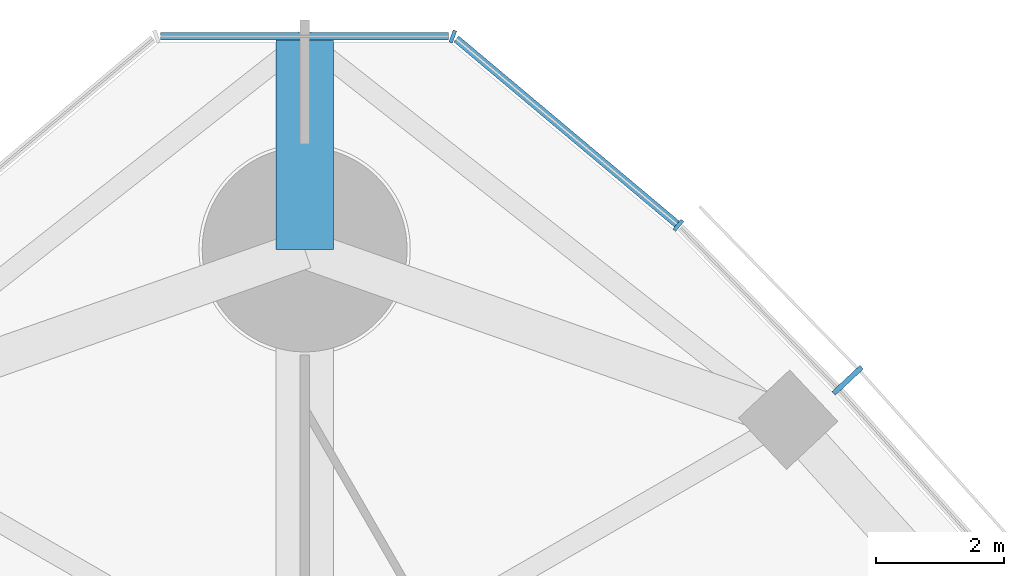
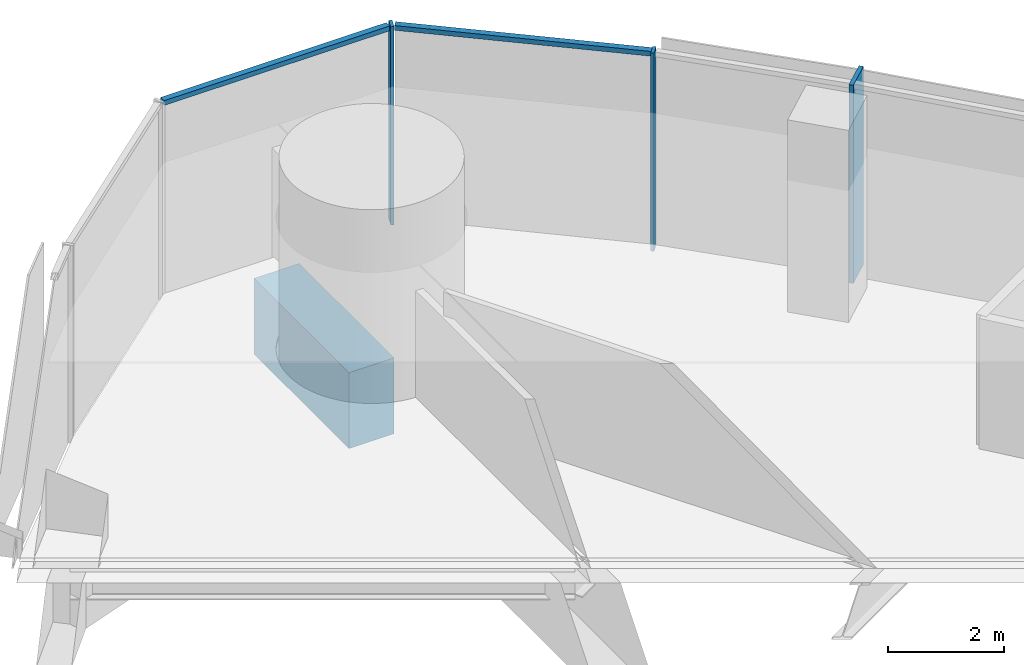
# One storey, part 8 of 20: 5 members, 1 beam, 2 elements without a shape of their own.
"""IFC4 building model written with IfcOpenShell, lengths in metres."""

from ifc_helpers import new_model, si_unit, direction, frame, origin, origin_2d, place, context, subcontext, project, spatial, rectangle, extrude, material, material_profile, profile_set, type_object, element, aggregate, save


model = new_model("IFC4")

# Units and contexts
model_context = context("Model", 3, precision=1e-05, world=origin(), true_north=direction((0.0, 1.0)))
body_context = subcontext(model_context, "Body", "Model", "MODEL_VIEW")
ifc_project = project(units=[si_unit("LENGTHUNIT", "METRE"), si_unit("AREAUNIT", "SQUARE_METRE"), si_unit("VOLUMEUNIT", "CUBIC_METRE"), si_unit("PLANEANGLEUNIT", "RADIAN"), si_unit("MASSUNIT", "GRAM", prefix="KILO")], contexts=[model_context])

# Site, building, storey
site_placement = place(None, origin())
site = spatial("IfcSite", under=ifc_project, at=site_placement, CompositionType="ELEMENT")
building_placement = place(site_placement, origin())
building = spatial("IfcBuilding", under=site, at=building_placement, Name="Trefoil Bronze Tower", CompositionType="ELEMENT")
storey_placement = place(building_placement, frame((0.0, 0.0, 210.699951171875)))
storey = spatial("IfcBuildingStorey", under=building, at=storey_placement, Name="L48", CompositionType="ELEMENT", Elevation=210.699951171875)

# Curtain wall, member
ifc_material_1 = material(Name="Tinted solar-control glass", Category="glass")
curtain_wall_type_1 = type_object("IfcCurtainWallType", Name="Bronze office curtain wall", PredefinedType="USERDEFINED", material=ifc_material_1)
curtain_wall_1_placement = place(storey_placement, origin())
curtain_wall_1 = element("IfcCurtainWall", 1, at=curtain_wall_1_placement, inside=storey, type_object=curtain_wall_type_1, Name="CW-A L48 F2", ObjectType="CURTAIN WALL", PredefinedType="USERDEFINED")
ifc_material_2 = material(Name="Bronze-finish aluminium", Category="aluminium")
ifc_material_profile_1 = material_profile(ifc_material_2, rectangle(XDim=0.60009765625, YDim=0.080078125, at=origin_2d()), Name="CW-A mullion")
ifc_profile_set_1 = profile_set([ifc_material_profile_1], Name="Bronze-finish aluminium")
member_type_1 = type_object("IfcMemberType", Name="Bronze office curtain wall mullion", PredefinedType="MULLION", material=ifc_profile_set_1)
member_1_placement = place(storey_placement, frame((8.482177734375, 30.95654296875, 0.0), z_axis=(0.0, 0.0, 1.0), x_axis=(-0.729859580661, -0.683597098091, 0.0)))
member_1 = element("IfcMember", 2, at=member_1_placement, type_object=member_type_1, Name="CW-A L48 F2 mullion 12", PredefinedType="MULLION", context=body_context, shape_type="SweptSolid", body=[
    extrude(rectangle(XDim=0.60009765625, YDim=0.080078125, at=origin_2d()), origin(), (0.0, 0.0, 1.0), 4.179931640625),
])
aggregate(curtain_wall_1, [member_1])

# Curtain wall, members
ifc_material_3 = material(Name="Tinted solar-control glass", Category="glass")
curtain_wall_type_2 = type_object("IfcCurtainWallType", Name="Bronze rounded corner curtain wall", PredefinedType="USERDEFINED", material=ifc_material_3)
curtain_wall_2_placement = place(storey_placement, origin())
curtain_wall_2 = element("IfcCurtainWall", 3, at=curtain_wall_2_placement, inside=storey, type_object=curtain_wall_type_2, Name="CW-B L48 K2", ObjectType="CURTAIN WALL", PredefinedType="USERDEFINED")
ifc_material_4 = material(Name="Bronze-finish aluminium", Category="aluminium")
ifc_material_profile_2 = material_profile(ifc_material_4, rectangle(XDim=0.199951171875, YDim=0.06005859375, at=origin_2d()), Name="CW-B mullion")
ifc_profile_set_2 = profile_set([ifc_material_profile_2], Name="Bronze-finish aluminium")
member_type_2 = type_object("IfcMemberType", Name="Bronze rounded corner curtain wall mullion", PredefinedType="MULLION", material=ifc_profile_set_2)
member_2_placement = place(storey_placement, frame((5.837890625, 33.3779296875, 0.0), z_axis=(0.0, 0.0, 1.0), x_axis=(-0.642787609687, -0.766044443119, 0.0)))
member_2 = element("IfcMember", 4, at=member_2_placement, type_object=member_type_2, Name="CW-B L48 K2 mullion 1", PredefinedType="MULLION", context=body_context, shape_type="SweptSolid", body=[
    extrude(rectangle(XDim=0.199951171875, YDim=0.06005859375, at=origin_2d()), origin(), (0.0, 0.0, 1.0), 4.179931640625),
])
member_3_placement = place(storey_placement, frame((2.314453125, 36.326416015625, 0.0), z_axis=(0.0, 0.0, 1.0), x_axis=(-0.342020143326, -0.939692620786, 0.0)))
member_3 = element("IfcMember", 5, at=member_3_placement, type_object=member_type_2, Name="CW-B L48 K2 mullion 2", PredefinedType="MULLION", context=body_context, shape_type="SweptSolid", body=[
    extrude(rectangle(XDim=0.199951171875, YDim=0.06005859375, at=origin_2d()), origin(), (0.0, 0.0, 1.0), 4.179931640625),
])
ifc_material_5 = material(Name="Bronze-finish aluminium", Category="aluminium")
ifc_material_profile_3 = material_profile(ifc_material_5, rectangle(XDim=0.1201171875, YDim=0.10009765625, at=origin_2d()), Name="CW-B transom")
ifc_profile_set_3 = profile_set([ifc_material_profile_3], Name="Bronze-finish aluminium")
member_type_3 = type_object("IfcMemberType", Name="Bronze rounded corner curtain wall transom", PredefinedType="USERDEFINED", material=ifc_profile_set_3)
member_4_placement = place(storey_placement, frame((5.814697265625, 33.397216796875, 4.130126953125), z_axis=(-0.766046761698, 0.642784846501, 0.0), x_axis=(-0.642784846501, -0.766046761698, 0.0)))
member_4 = element("IfcMember", 6, at=member_4_placement, type_object=member_type_3, Name="CW-B L48 K2 transom 1", ObjectType="TRANSOM", PredefinedType="USERDEFINED", context=body_context, shape_type="SweptSolid", body=[
    extrude(rectangle(XDim=0.1201171875, YDim=0.10009765625, at=origin_2d()), origin(), (0.0, 0.0, 1.0), 4.5),
])
member_5_placement = place(storey_placement, frame((2.250244140625, 36.33251953125, 4.130126953125), z_axis=(-1.0, 0.0, 0.0), x_axis=(0.0, -1.0, 0.0)))
member_5 = element("IfcMember", 7, at=member_5_placement, type_object=member_type_3, Name="CW-B L48 K2 transom 2", ObjectType="TRANSOM", PredefinedType="USERDEFINED", context=body_context, shape_type="SweptSolid", body=[
    extrude(rectangle(XDim=0.1201171875, YDim=0.10009765625, at=origin_2d()), origin(), (0.0, 0.0, 1.0), 4.50048828125),
])
aggregate(curtain_wall_2, [member_2, member_3, member_4, member_5])

# Beam
ifc_material_6 = material(Name="Concrete B80", Category="concrete")
ifc_material_profile_4 = material_profile(ifc_material_6, rectangle(XDim=0.89990234375, YDim=1.60009765625, at=origin_2d()), Name="RC 900x1600")
ifc_profile_set_4 = profile_set([ifc_material_profile_4], Name="Concrete B80")
beam_type = type_object("IfcBeamType", Name="Corner cantilever RC 900x1600", PredefinedType="BEAM", material=ifc_profile_set_4)
beam_placement = place(storey_placement, frame((0.0, 33.0, -1.0), z_axis=(0.0, 1.0, 0.0), x_axis=(-1.0, 0.0, 0.0)))
element("IfcBeam", 8, at=beam_placement, inside=storey, type_object=beam_type, Name="Corner cantilever K2 L48", PredefinedType="BEAM", context=body_context, shape_type="SweptSolid", body=[
    extrude(rectangle(XDim=0.89990234375, YDim=1.60009765625, at=origin_2d()), origin(), (0.0, 0.0, 1.0), 3.28466796875),
])

save(model, "model.ifc")
